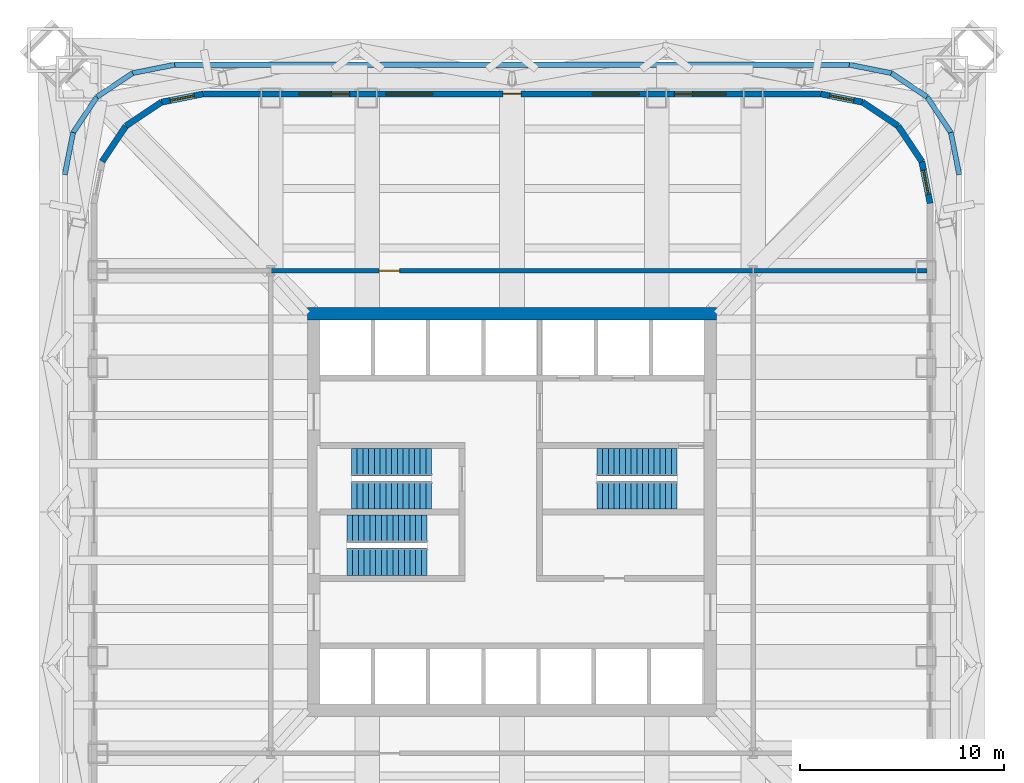
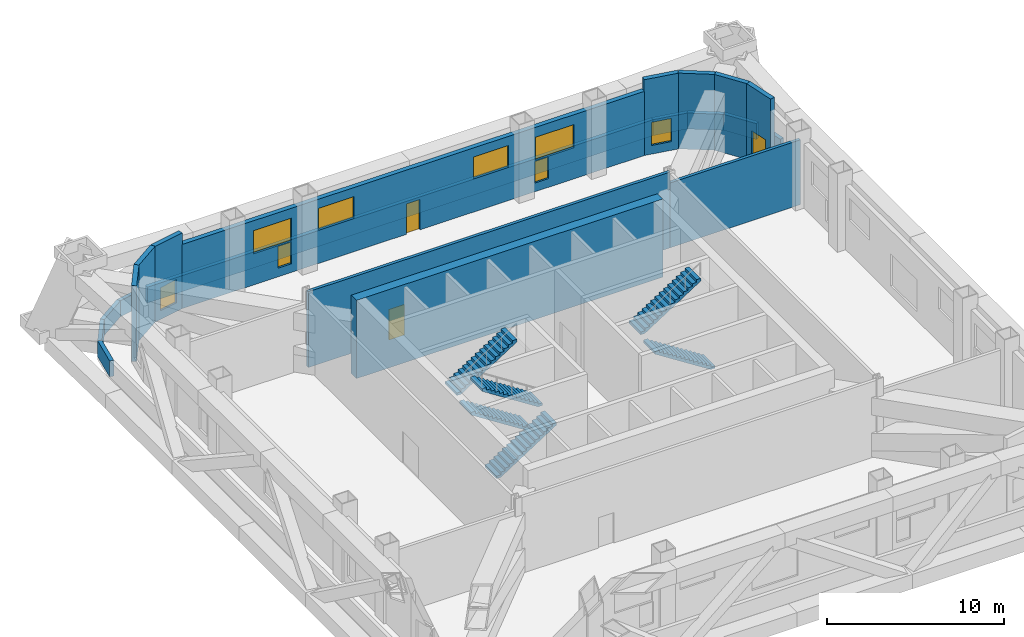
# One storey, part 7 of 9: 20 walls, 9 windows, 6 stair flights, 2 doors, 11 openings, 3 elements without a shape of their own.
"""IFC4 building model written with IfcOpenShell, lengths in metres."""

from ifc_helpers import new_model, si_unit, direction, frame, frame_2d, origin, place, context, subcontext, project, spatial, polyline, rectangle, outline, extrude, material, layer, layer_set, type_object, element, fill, aggregate, save


model = new_model("IFC4")

# Units and contexts
model_context = context("Model", 3, precision=1e-05, world=origin(), true_north=direction((0.0, 1.0)))
body_context = subcontext(model_context, "Body", "Model", "MODEL_VIEW")
ifc_project = project(units=[si_unit("LENGTHUNIT", "METRE"), si_unit("AREAUNIT", "SQUARE_METRE"), si_unit("VOLUMEUNIT", "CUBIC_METRE"), si_unit("PLANEANGLEUNIT", "RADIAN"), si_unit("MASSUNIT", "GRAM", prefix="KILO")], contexts=[model_context])

# Site, building, storey
site_placement = place(None, origin())
site = spatial("IfcSite", under=ifc_project, at=site_placement, CompositionType="ELEMENT")
building_placement = place(site_placement, origin())
building = spatial("IfcBuilding", under=site, at=building_placement, Name="Turquesa Mirador Hotel Tower", CompositionType="ELEMENT")
storey_placement = place(building_placement, frame((0.0, 0.0, 88.0)))
storey = spatial("IfcBuildingStorey", under=building, at=storey_placement, Name="L23", CompositionType="ELEMENT", Elevation=88.0)

# Wall
ifc_material_1 = material(Name="Concrete C50/60", Category="concrete")
ifc_layer_1 = layer(ifc_material_1, 0.60009765625)
ifc_layer_set_1 = layer_set([ifc_layer_1], Name="CORE WALL 600")
wall_type_1 = type_object("IfcWallType", Name="CORE WALL 600", PredefinedType="SHEAR", material=ifc_layer_set_1)
wall_1_placement = place(storey_placement, frame((45.0, 54.699951171875, 0.0), z_axis=(0.0, 0.0, 1.0), x_axis=(1.0, 0.0, 0.0)))
element("IfcWall", 1, at=wall_1_placement, inside=storey, type_object=wall_type_1, Name="Core wall N", PredefinedType="SHEAR", context=body_context, shape_type="SweptSolid", body=[
    extrude(rectangle(XDim=20.0, YDim=0.60009765625, at=frame_2d((10.0, 0.0))), origin(), (0.0, 0.0, 1.0), 5.39990234375),
])

# Wall, opening, door
ifc_material_2 = material(Name="Fire-rated gypsum board on steel studs", Category="steel")
ifc_layer_2 = layer(ifc_material_2, 0.199951171875)
ifc_layer_set_2 = layer_set([ifc_layer_2], Name="CORRIDOR WALL 200")
wall_type_2 = type_object("IfcWallType", Name="CORRIDOR WALL 200", PredefinedType="PARTITIONING", material=ifc_layer_set_2)
wall_2_placement = place(storey_placement, frame((43.199951171875, 56.800048828125, 0.0), z_axis=(0.0, 0.0, 1.0), x_axis=(1.0, 0.0, 0.0)))
wall_2 = element("IfcWall", 2, at=wall_2_placement, inside=storey, type_object=wall_type_2, Name="Partition L23 004", PredefinedType="PARTITIONING", context=body_context, shape_type="SweptSolid", body=[
    extrude(rectangle(XDim=23.60009765625, YDim=0.199951171875, at=frame_2d((11.800048828125, 0.0))), origin(), (0.0, 0.0, 1.0), 5.22998046875),
])
opening_1_placement = place(wall_2_placement, frame((5.300048828125, 0.0, 0.0)))
opening_1 = element("IfcOpeningElement", 3, at=opening_1_placement, cuts=wall_2, Name="Opening D05", PredefinedType="OPENING", context=body_context, shape_type="SweptSolid", body=[
    extrude(rectangle(XDim=1.0, YDim=2.10009765625, at=frame_2d((0.5, 1.050048828125))), frame((0.0, 0.10986328125, 0.0), z_axis=(0.0, -1.0, 0.0), x_axis=(1.0, 0.0, 0.0)), (0.0, 0.0, 1.0), 0.219970703125),
])
ifc_material_3 = material(Name="Steel fire door", Category="steel")
door_type_1 = type_object("IfcDoorType", Name="DOOR 1000X2100 SERVICE", OperationType="SINGLE_SWING_LEFT", PredefinedType="DOOR", material=ifc_material_3)
door_1_placement = place(opening_1_placement, origin())
door_1 = element("IfcDoor", 4, at=door_1_placement, inside=storey, type_object=door_type_1, Name="Door L23-01", OperationType="SINGLE_SWING_LEFT", OverallHeight=2.10009765625, OverallWidth=1.0, PredefinedType="DOOR", context=body_context, shape_type="SweptSolid", body=[
    extrude(rectangle(XDim=1.0, YDim=2.10009765625, at=frame_2d((0.5, 1.050048828125))), frame((0.0, 0.02490234375, 0.0), z_axis=(0.0, -1.0, 0.0), x_axis=(1.0, 0.0, 0.0)), (0.0, 0.0, 1.0), 0.050048828125),
])
fill(opening_1, door_1)

# Wall
ifc_material_4 = material(Name="Fire-rated gypsum board on steel studs", Category="steel")
ifc_layer_3 = layer(ifc_material_4, 0.199951171875)
ifc_layer_set_3 = layer_set([ifc_layer_3], Name="FIRE PARTITION 200")
wall_type_3 = type_object("IfcWallType", Name="FIRE PARTITION 200", PredefinedType="PARTITIONING", material=ifc_layer_set_3)
wall_3_placement = place(storey_placement, frame((66.800048828125, 56.800048828125, 0.0), z_axis=(0.0, 0.0, 1.0), x_axis=(1.0, 0.0, 0.0)))
element("IfcWall", 5, at=wall_3_placement, inside=storey, type_object=wall_type_3, Name="Partition L23 006", PredefinedType="PARTITIONING", context=body_context, shape_type="SweptSolid", body=[
    extrude(rectangle(XDim=8.5, YDim=0.199951171875, at=frame_2d((4.25, 0.0))), origin(), (0.0, 0.0, 1.0), 4.47314453125),
])

# Wall, opening, window
ifc_material_5 = material(Name="Limestone cladding on concrete block", Category="masonry")
ifc_layer_4 = layer(ifc_material_5, 0.300048828125)
ifc_layer_set_4 = layer_set([ifc_layer_4], Name="LOUVRE WALL 300 STONE")
wall_type_4 = type_object("IfcWallType", Name="LOUVRE WALL 300 STONE", PredefinedType="SOLIDWALL", material=ifc_layer_set_4)
wall_4_placement = place(storey_placement, frame((75.449951171875, 60.10009765625, 0.0), z_axis=(0.0, 0.0, 1.0), x_axis=(-0.195081421501, 0.980787050784, 0.0)))
wall_4 = element("IfcWall", 6, at=wall_4_placement, inside=storey, type_object=wall_type_4, Name="Facade wall L23 05", PredefinedType="SOLIDWALL", context=body_context, shape_type="SweptSolid", body=[
    extrude(rectangle(XDim=2.08740234375, YDim=0.300048828125, at=frame_2d((1.043701171875, 0.0))), origin(), (0.0, 0.0, 1.0), 5.22998046875),
])
opening_2_placement = place(wall_4_placement, frame((0.443603515625, 0.0, 0.60009765625)))
opening_2 = element("IfcOpeningElement", 7, at=opening_2_placement, cuts=wall_4, Name="Opening LV7", PredefinedType="OPENING", context=body_context, shape_type="SweptSolid", body=[
    extrude(rectangle(XDim=1.199951171875, YDim=1.60009765625, at=frame_2d((0.60009765625, 0.800048828125))), frame((0.0, 0.159912109375, 0.0), z_axis=(0.0, -1.0, 0.0), x_axis=(1.0, 0.0, 0.0)), (0.0, 0.0, 1.0), 0.320068359375),
])
ifc_material_6 = material(Name="Aluminium extrusion", Category="aluminium")
window_type_1 = type_object("IfcWindowType", Name="PLANT LOUVRE 1200X1600", PartitioningType="SINGLE_PANEL", PredefinedType="USERDEFINED", material=ifc_material_6)
window_1_placement = place(opening_2_placement, origin())
window_1 = element("IfcWindow", 8, at=window_1_placement, inside=storey, type_object=window_type_1, Name="Window L23", ObjectType="LOUVRE", OverallHeight=1.60009765625, OverallWidth=1.199951171875, PartitioningType="SINGLE_PANEL", PredefinedType="USERDEFINED", context=body_context, shape_type="SweptSolid", body=[
    extrude(rectangle(XDim=1.199951171875, YDim=1.60009765625, at=frame_2d((0.60009765625, 0.800048828125))), frame((0.0, 0.030029296875, 0.0), z_axis=(0.0, -1.0, 0.0), x_axis=(1.0, 0.0, 0.0)), (0.0, 0.0, 1.0), 0.06005859375),
])
fill(opening_2, window_1)

# Walls
for number, where, z_axis, x_axis, name in (
    (9, (75.042724609375, 62.1474609375, 0.0), (0.0, 0.0, 1.0), (-0.555563607591, 0.831474039234, 0.0), "Facade wall L23 06"),
    (10, (73.883056640625, 63.883056640625, 0.0), (0.0, 0.0, 1.0), (-0.831474039234, 0.555563607591, 0.0), "Facade wall L23 07"),
):
    element("IfcWall", number, at=place(storey_placement, frame(where, z_axis=z_axis, x_axis=x_axis)), inside=storey, type_object=wall_type_4, Name=name, PredefinedType="SOLIDWALL", context=body_context, shape_type="SweptSolid", body=[
        extrude(rectangle(XDim=2.08740234375, YDim=0.300048828125, at=frame_2d((1.043701171875, 0.0))), origin(), (0.0, 0.0, 1.0), 5.22998046875),
    ])

# Wall, opening, window
wall_5_placement = place(storey_placement, frame((72.1474609375, 65.042724609375, 0.0), z_axis=(0.0, 0.0, 1.0), x_axis=(-0.980787050784, 0.195081421501, 0.0)))
wall_5 = element("IfcWall", 11, at=wall_5_placement, inside=storey, type_object=wall_type_4, Name="Facade wall L23 08", PredefinedType="SOLIDWALL", context=body_context, shape_type="SweptSolid", body=[
    extrude(rectangle(XDim=2.08740234375, YDim=0.300048828125, at=frame_2d((1.043701171875, 0.0))), origin(), (0.0, 0.0, 1.0), 5.22998046875),
])
opening_3_placement = place(wall_5_placement, frame((0.443603515625, 0.0, 0.60009765625)))
opening_3 = element("IfcOpeningElement", 12, at=opening_3_placement, cuts=wall_5, Name="Opening LV7", PredefinedType="OPENING", context=body_context, shape_type="SweptSolid", body=[
    extrude(rectangle(XDim=1.199951171875, YDim=1.60009765625, at=frame_2d((0.60009765625, 0.800048828125))), frame((0.0, 0.159912109375, 0.0), z_axis=(0.0, -1.0, 0.0), x_axis=(1.0, 0.0, 0.0)), (0.0, 0.0, 1.0), 0.320068359375),
])
window_2_placement = place(opening_3_placement, origin())
window_2 = element("IfcWindow", 13, at=window_2_placement, inside=storey, type_object=window_type_1, Name="Window L23", ObjectType="LOUVRE", OverallHeight=1.60009765625, OverallWidth=1.199951171875, PartitioningType="SINGLE_PANEL", PredefinedType="USERDEFINED", context=body_context, shape_type="SweptSolid", body=[
    extrude(rectangle(XDim=1.199951171875, YDim=1.60009765625, at=frame_2d((0.60009765625, 0.800048828125))), frame((0.0, 0.030029296875, 0.0), z_axis=(0.0, -1.0, 0.0), x_axis=(1.0, 0.0, 0.0)), (0.0, 0.0, 1.0), 0.06005859375),
])
fill(opening_3, window_2)

# Wall, openings, windows, door
wall_6_placement = place(storey_placement, frame((70.10009765625, 65.449951171875, 0.0), z_axis=(0.0, 0.0, 1.0), x_axis=(-1.0, 0.0, 0.0)))
wall_6 = element("IfcWall", 14, at=wall_6_placement, inside=storey, type_object=wall_type_4, Name="Facade wall L23 09", PredefinedType="SOLIDWALL", context=body_context, shape_type="SweptSolid", body=[
    extrude(rectangle(XDim=30.2001953125, YDim=0.300048828125, at=frame_2d((15.10009765625, 0.0))), origin(), (0.0, 0.0, 1.0), 4.429931640625),
])
opening_4_placement = place(wall_6_placement, frame((4.610107421875, 0.0, 2.14990234375)))
opening_4 = element("IfcOpeningElement", 15, at=opening_4_placement, cuts=wall_6, Name="Opening LV15", PredefinedType="OPENING", context=body_context, shape_type="SweptSolid", body=[
    extrude(rectangle(XDim=2.5, YDim=1.60009765625, at=frame_2d((1.25, 0.800048828125))), frame((0.0, 0.159912109375, 0.0), z_axis=(0.0, -1.0, 0.0), x_axis=(1.0, 0.0, 0.0)), (0.0, 0.0, 1.0), 0.320068359375),
])
opening_5_placement = place(wall_6_placement, frame((8.8798828125, 0.0, 2.300048828125)))
opening_5 = element("IfcOpeningElement", 16, at=opening_5_placement, cuts=wall_6, Name="Opening LV12", PredefinedType="OPENING", context=body_context, shape_type="SweptSolid", body=[
    extrude(rectangle(XDim=2.300048828125, YDim=1.5, at=frame_2d((1.14990234375, 0.75))), frame((0.0, 0.159912109375, 0.0), z_axis=(0.0, -1.0, 0.0), x_axis=(1.0, 0.0, 0.0)), (0.0, 0.0, 1.0), 0.320068359375),
])
opening_6_placement = place(wall_6_placement, frame((14.64990234375, 0.0, 0.0)))
opening_6 = element("IfcOpeningElement", 17, at=opening_6_placement, cuts=wall_6, Name="Opening D21", PredefinedType="OPENING", context=body_context, shape_type="SweptSolid", body=[
    extrude(rectangle(XDim=0.89990234375, YDim=2.10009765625, at=frame_2d((0.449951171875, 1.050048828125))), frame((0.0, 0.159912109375, 0.0), z_axis=(0.0, -1.0, 0.0), x_axis=(1.0, 0.0, 0.0)), (0.0, 0.0, 1.0), 0.320068359375),
])
opening_7_placement = place(wall_6_placement, frame((18.969970703125, 0.0, 2.300048828125)))
opening_7 = element("IfcOpeningElement", 18, at=opening_7_placement, cuts=wall_6, Name="Opening LV12", PredefinedType="OPENING", context=body_context, shape_type="SweptSolid", body=[
    extrude(rectangle(XDim=2.300048828125, YDim=1.5, at=frame_2d((1.14990234375, 0.75))), frame((0.0, 0.159912109375, 0.0), z_axis=(0.0, -1.0, 0.0), x_axis=(1.0, 0.0, 0.0)), (0.0, 0.0, 1.0), 0.320068359375),
])
opening_8_placement = place(wall_6_placement, frame((23.0400390625, 0.0, 2.14990234375)))
opening_8 = element("IfcOpeningElement", 19, at=opening_8_placement, cuts=wall_6, Name="Opening LV15", PredefinedType="OPENING", context=body_context, shape_type="SweptSolid", body=[
    extrude(rectangle(XDim=2.5, YDim=1.60009765625, at=frame_2d((1.25, 0.800048828125))), frame((0.0, 0.159912109375, 0.0), z_axis=(0.0, -1.0, 0.0), x_axis=(1.0, 0.0, 0.0)), (0.0, 0.0, 1.0), 0.320068359375),
])
opening_9_placement = place(wall_6_placement, frame((6.260009765625, 0.0, 0.60009765625)))
opening_9 = element("IfcOpeningElement", 20, at=opening_9_placement, cuts=wall_6, Name="Opening LV3", PredefinedType="OPENING", context=body_context, shape_type="SweptSolid", body=[
    extrude(rectangle(XDim=0.89990234375, YDim=1.5, at=frame_2d((0.449951171875, 0.75))), frame((0.0, 0.159912109375, 0.0), z_axis=(0.0, -1.0, 0.0), x_axis=(1.0, 0.0, 0.0)), (0.0, 0.0, 1.0), 0.320068359375),
])
opening_10_placement = place(wall_6_placement, frame((23.0400390625, 0.0, 0.60009765625)))
opening_10 = element("IfcOpeningElement", 21, at=opening_10_placement, cuts=wall_6, Name="Opening LV3", PredefinedType="OPENING", context=body_context, shape_type="SweptSolid", body=[
    extrude(rectangle(XDim=0.89990234375, YDim=1.5, at=frame_2d((0.449951171875, 0.75))), frame((0.0, 0.159912109375, 0.0), z_axis=(0.0, -1.0, 0.0), x_axis=(1.0, 0.0, 0.0)), (0.0, 0.0, 1.0), 0.320068359375),
])
ifc_material_7 = material(Name="Aluminium extrusion", Category="aluminium")
window_type_2 = type_object("IfcWindowType", Name="PLANT LOUVRE 2300X1500", PartitioningType="SINGLE_PANEL", PredefinedType="USERDEFINED", material=ifc_material_7)
window_3_placement = place(opening_5_placement, origin())
window_3 = element("IfcWindow", 22, at=window_3_placement, inside=storey, type_object=window_type_2, Name="Window L23", ObjectType="LOUVRE", OverallHeight=1.5, OverallWidth=2.300048828125, PartitioningType="SINGLE_PANEL", PredefinedType="USERDEFINED", context=body_context, shape_type="SweptSolid", body=[
    extrude(rectangle(XDim=2.300048828125, YDim=1.5, at=frame_2d((1.14990234375, 0.75))), frame((0.0, 0.030029296875, 0.0), z_axis=(0.0, -1.0, 0.0), x_axis=(1.0, 0.0, 0.0)), (0.0, 0.0, 1.0), 0.06005859375),
])
fill(opening_5, window_3)
window_4_placement = place(opening_7_placement, origin())
window_4 = element("IfcWindow", 23, at=window_4_placement, inside=storey, type_object=window_type_2, Name="Window L23", ObjectType="LOUVRE", OverallHeight=1.5, OverallWidth=2.300048828125, PartitioningType="SINGLE_PANEL", PredefinedType="USERDEFINED", context=body_context, shape_type="SweptSolid", body=[
    extrude(rectangle(XDim=2.300048828125, YDim=1.5, at=frame_2d((1.14990234375, 0.75))), frame((0.0, 0.030029296875, 0.0), z_axis=(0.0, -1.0, 0.0), x_axis=(1.0, 0.0, 0.0)), (0.0, 0.0, 1.0), 0.06005859375),
])
fill(opening_7, window_4)
ifc_material_8 = material(Name="Aluminium extrusion", Category="aluminium")
window_type_3 = type_object("IfcWindowType", Name="PLANT LOUVRE 2500X1600", PartitioningType="SINGLE_PANEL", PredefinedType="USERDEFINED", material=ifc_material_8)
window_5_placement = place(opening_4_placement, origin())
window_5 = element("IfcWindow", 24, at=window_5_placement, inside=storey, type_object=window_type_3, Name="Window L23", ObjectType="LOUVRE", OverallHeight=1.60009765625, OverallWidth=2.5, PartitioningType="SINGLE_PANEL", PredefinedType="USERDEFINED", context=body_context, shape_type="SweptSolid", body=[
    extrude(rectangle(XDim=2.5, YDim=1.60009765625, at=frame_2d((1.25, 0.800048828125))), frame((0.0, 0.030029296875, 0.0), z_axis=(0.0, -1.0, 0.0), x_axis=(1.0, 0.0, 0.0)), (0.0, 0.0, 1.0), 0.06005859375),
])
fill(opening_4, window_5)
window_6_placement = place(opening_8_placement, origin())
window_6 = element("IfcWindow", 25, at=window_6_placement, inside=storey, type_object=window_type_3, Name="Window L23", ObjectType="LOUVRE", OverallHeight=1.60009765625, OverallWidth=2.5, PartitioningType="SINGLE_PANEL", PredefinedType="USERDEFINED", context=body_context, shape_type="SweptSolid", body=[
    extrude(rectangle(XDim=2.5, YDim=1.60009765625, at=frame_2d((1.25, 0.800048828125))), frame((0.0, 0.030029296875, 0.0), z_axis=(0.0, -1.0, 0.0), x_axis=(1.0, 0.0, 0.0)), (0.0, 0.0, 1.0), 0.06005859375),
])
fill(opening_8, window_6)
ifc_material_9 = material(Name="Aluminium extrusion", Category="aluminium")
window_type_4 = type_object("IfcWindowType", Name="PLANT LOUVRE 900X1500", PartitioningType="SINGLE_PANEL", PredefinedType="USERDEFINED", material=ifc_material_9)
window_7_placement = place(opening_9_placement, origin())
window_7 = element("IfcWindow", 26, at=window_7_placement, inside=storey, type_object=window_type_4, Name="Window L23", ObjectType="LOUVRE", OverallHeight=1.5, OverallWidth=0.89990234375, PartitioningType="SINGLE_PANEL", PredefinedType="USERDEFINED", context=body_context, shape_type="SweptSolid", body=[
    extrude(rectangle(XDim=0.89990234375, YDim=1.5, at=frame_2d((0.449951171875, 0.75))), frame((0.0, 0.030029296875, 0.0), z_axis=(0.0, -1.0, 0.0), x_axis=(1.0, 0.0, 0.0)), (0.0, 0.0, 1.0), 0.06005859375),
])
fill(opening_9, window_7)
window_8_placement = place(opening_10_placement, origin())
window_8 = element("IfcWindow", 27, at=window_8_placement, inside=storey, type_object=window_type_4, Name="Window L23", ObjectType="LOUVRE", OverallHeight=1.5, OverallWidth=0.89990234375, PartitioningType="SINGLE_PANEL", PredefinedType="USERDEFINED", context=body_context, shape_type="SweptSolid", body=[
    extrude(rectangle(XDim=0.89990234375, YDim=1.5, at=frame_2d((0.449951171875, 0.75))), frame((0.0, 0.030029296875, 0.0), z_axis=(0.0, -1.0, 0.0), x_axis=(1.0, 0.0, 0.0)), (0.0, 0.0, 1.0), 0.06005859375),
])
fill(opening_10, window_8)
ifc_material_10 = material(Name="Galvanised steel door, weather-stripped", Category="steel")
door_type_2 = type_object("IfcDoorType", Name="ROOF ACCESS DOOR 900X2100 MAINTENANCE ONLY", OperationType="SINGLE_SWING_LEFT", PredefinedType="DOOR", material=ifc_material_10)
door_2_placement = place(opening_6_placement, origin())
door_2 = element("IfcDoor", 28, at=door_2_placement, inside=storey, type_object=door_type_2, Name="Roof access door (maintenance only) L23", OperationType="SINGLE_SWING_LEFT", OverallHeight=2.10009765625, OverallWidth=0.89990234375, PredefinedType="DOOR", context=body_context, shape_type="SweptSolid", body=[
    extrude(rectangle(XDim=0.89990234375, YDim=2.10009765625, at=frame_2d((0.449951171875, 1.050048828125))), frame((0.0, 0.02490234375, 0.0), z_axis=(0.0, -1.0, 0.0), x_axis=(1.0, 0.0, 0.0)), (0.0, 0.0, 1.0), 0.050048828125),
])
fill(opening_6, door_2)

# Wall, opening, window
wall_7_placement = place(storey_placement, frame((39.89990234375, 65.449951171875, 0.0), z_axis=(0.0, 0.0, 1.0), x_axis=(-0.980787050784, -0.195081421501, 0.0)))
wall_7 = element("IfcWall", 29, at=wall_7_placement, inside=storey, type_object=wall_type_4, Name="Facade wall L23 10", PredefinedType="SOLIDWALL", context=body_context, shape_type="SweptSolid", body=[
    extrude(rectangle(XDim=2.08740234375, YDim=0.300048828125, at=frame_2d((1.043701171875, 0.0))), origin(), (0.0, 0.0, 1.0), 5.22998046875),
])
opening_11_placement = place(wall_7_placement, frame((0.443603515625, 0.0, 0.60009765625)))
opening_11 = element("IfcOpeningElement", 30, at=opening_11_placement, cuts=wall_7, Name="Opening LV7", PredefinedType="OPENING", context=body_context, shape_type="SweptSolid", body=[
    extrude(rectangle(XDim=1.199951171875, YDim=1.60009765625, at=frame_2d((0.60009765625, 0.800048828125))), frame((0.0, 0.159912109375, 0.0), z_axis=(0.0, -1.0, 0.0), x_axis=(1.0, 0.0, 0.0)), (0.0, 0.0, 1.0), 0.320068359375),
])
window_9_placement = place(opening_11_placement, origin())
window_9 = element("IfcWindow", 31, at=window_9_placement, inside=storey, type_object=window_type_1, Name="Window L23", ObjectType="LOUVRE", OverallHeight=1.60009765625, OverallWidth=1.199951171875, PartitioningType="SINGLE_PANEL", PredefinedType="USERDEFINED", context=body_context, shape_type="SweptSolid", body=[
    extrude(rectangle(XDim=1.199951171875, YDim=1.60009765625, at=frame_2d((0.60009765625, 0.800048828125))), frame((0.0, 0.030029296875, 0.0), z_axis=(0.0, -1.0, 0.0), x_axis=(1.0, 0.0, 0.0)), (0.0, 0.0, 1.0), 0.06005859375),
])
fill(opening_11, window_9)

# Walls
for number, where, z_axis, x_axis, name in (
    (32, (37.8525390625, 65.042724609375, 0.0), (0.0, 0.0, 1.0), (-0.831474039234, -0.555563607591, 0.0), "Facade wall L23 11"),
    (33, (36.116943359375, 63.883056640625, 0.0), (0.0, 0.0, 1.0), (-0.555563607591, -0.831474039234, 0.0), "Facade wall L23 12"),
):
    element("IfcWall", number, at=place(storey_placement, frame(where, z_axis=z_axis, x_axis=x_axis)), inside=storey, type_object=wall_type_4, Name=name, PredefinedType="SOLIDWALL", context=body_context, shape_type="SweptSolid", body=[
        extrude(rectangle(XDim=2.08740234375, YDim=0.300048828125, at=frame_2d((1.043701171875, 0.0))), origin(), (0.0, 0.0, 1.0), 5.22998046875),
    ])
ifc_material_11 = material(Name="Limestone cladding on concrete block", Category="masonry")
ifc_layer_5 = layer(ifc_material_11, 0.25)
ifc_layer_set_5 = layer_set([ifc_layer_5], Name="PARAPET 250 STONE")
wall_type_5 = type_object("IfcWallType", Name="PARAPET 250 STONE", PredefinedType="PARAPET", material=ifc_layer_set_5)
for number, where, z_axis, x_axis, name in (
    (34, (76.875, 61.5, 0.0), (0.0, 0.0, 1.0), (-0.195108609271, 0.980781642665, 0.0), "Maintenance roof parapet L23"),
    (35, (76.4658203125, 63.556884765625, 0.0), (0.0, 0.0, 1.0), (-0.555505847535, 0.831512629702, 0.0), "Maintenance roof parapet L23"),
    (36, (75.30078125, 65.30078125, 0.0), (0.0, 0.0, 1.0), (-0.831512629702, 0.555505847535, 0.0), "Maintenance roof parapet L23"),
    (37, (73.556884765625, 66.4658203125, 0.0), (0.0, 0.0, 1.0), (-0.980781642665, 0.195108609271, 0.0), "Maintenance roof parapet L23"),
):
    element("IfcWall", number, at=place(storey_placement, frame(where, z_axis=z_axis, x_axis=x_axis)), inside=storey, type_object=wall_type_5, Name=name, PredefinedType="PARAPET", context=body_context, shape_type="SweptSolid", body=[
        extrude(rectangle(XDim=2.09716796875, YDim=0.25, at=frame_2d((1.048583984375, 0.0))), origin(), (0.0, 0.0, 1.0), 1.10009765625),
    ])
wall_8_placement = place(storey_placement, frame((71.5, 66.875, 0.0), z_axis=(0.0, 0.0, 1.0), x_axis=(-1.0, 0.0, 0.0)))
element("IfcWall", 38, at=wall_8_placement, inside=storey, type_object=wall_type_5, Name="Maintenance roof parapet L23", PredefinedType="PARAPET", context=body_context, shape_type="SweptSolid", body=[
    extrude(rectangle(XDim=33.0, YDim=0.25, at=frame_2d((16.5, 0.0))), origin(), (0.0, 0.0, 1.0), 1.10009765625),
])
for number, where, z_axis, x_axis, name in (
    (39, (38.5, 66.875, 0.0), (0.0, 0.0, 1.0), (-0.980781642665, -0.195108609271, 0.0), "Maintenance roof parapet L23"),
    (40, (36.443115234375, 66.4658203125, 0.0), (0.0, 0.0, 1.0), (-0.831512629702, -0.555505847535, 0.0), "Maintenance roof parapet L23"),
    (41, (34.69921875, 65.30078125, 0.0), (0.0, 0.0, 1.0), (-0.555505847535, -0.831512629702, 0.0), "Maintenance roof parapet L23"),
    (42, (33.5341796875, 63.556884765625, 0.0), (0.0, 0.0, 1.0), (-0.195108609271, -0.980781642665, 0.0), "Maintenance roof parapet L23"),
):
    element("IfcWall", number, at=place(storey_placement, frame(where, z_axis=z_axis, x_axis=x_axis)), inside=storey, type_object=wall_type_5, Name=name, PredefinedType="PARAPET", context=body_context, shape_type="SweptSolid", body=[
        extrude(rectangle(XDim=2.09716796875, YDim=0.25, at=frame_2d((1.048583984375, 0.0))), origin(), (0.0, 0.0, 1.0), 1.10009765625),
    ])

# Stair, stair flights
ifc_material_12 = material(Name="Concrete C35/45", Category="concrete")
stair_type = type_object("IfcStairType", Name="ESCAPE STAIR CORE", PredefinedType="HALF_TURN_STAIR", material=ifc_material_12)
stair_1_placement = place(storey_placement, origin())
stair_1 = element("IfcStair", 43, at=stair_1_placement, inside=storey, type_object=stair_type, Name="Stair ST1 L23 to L24", PredefinedType="HALF_TURN_STAIR")
ifc_material_13 = material(Name="Concrete C35/45 precast flight", Category="concrete")
stair_flight_type = type_object("IfcStairFlightType", Name="STAIR FLIGHT 1330", PredefinedType="STRAIGHT", material=ifc_material_13)
stair_flight_1_placement = place(storey_placement, frame((51.070068359375, 45.81494140625, 0.0), z_axis=(0.0, 0.0, 1.0), x_axis=(-1.0, 0.0, 0.0)))
stair_flight_1 = element("IfcStairFlight", 44, at=stair_flight_1_placement, type_object=stair_flight_type, Name="ST1 flight 1", NumberOfRisers=15, NumberOfTreads=14, PredefinedType="STRAIGHT", RiserHeight=0.18, TreadLength=0.28, context=body_context, shape_type="SweptSolid", body=[
    extrude(outline(polyline([(0.0, 0.0), (0.0, 0.179931640625), (0.280029296875, 0.179931640625), (0.280029296875, 0.360107421875), (0.56005859375, 0.360107421875), (0.56005859375, 0.5400390625), (0.840087890625, 0.5400390625), (0.840087890625, 0.719970703125), (1.1201171875, 0.719970703125), (1.1201171875, 0.89990234375), (1.39990234375, 0.89990234375), (1.39990234375, 1.080078125), (1.679931640625, 1.080078125), (1.679931640625, 1.260009765625), (1.9599609375, 1.260009765625), (1.9599609375, 1.43994140625), (2.239990234375, 1.43994140625), (2.239990234375, 1.6201171875), (2.52001953125, 1.6201171875), (2.52001953125, 1.800048828125), (2.800048828125, 1.800048828125), (2.800048828125, 1.97998046875), (3.080078125, 1.97998046875), (3.080078125, 2.159912109375), (3.360107421875, 2.159912109375), (3.360107421875, 2.340087890625), (3.639892578125, 2.340087890625), (3.639892578125, 2.52001953125), (3.919921875, 2.52001953125), (3.919921875, 2.699951171875), (3.919921875, 2.341796875), (0.277099609375, 0.0), (0.0, 0.0)])), frame((0.0, 0.6650390625, 0.0), z_axis=(0.0, -1.0, 0.0), x_axis=(1.0, 0.0, 0.0)), (0.0, 0.0, 1.0), 1.330078125),
])
stair_flight_2_placement = place(storey_placement, frame((47.14990234375, 47.43505859375, 2.699951171875), z_axis=(0.0, 0.0, 1.0), x_axis=(1.0, 0.0, 0.0)))
stair_flight_2 = element("IfcStairFlight", 45, at=stair_flight_2_placement, type_object=stair_flight_type, Name="ST1 flight 2", NumberOfRisers=15, NumberOfTreads=14, PredefinedType="STRAIGHT", RiserHeight=0.18, TreadLength=0.28, context=body_context, shape_type="SweptSolid", body=[
    extrude(outline(polyline([(0.0, 0.0), (0.0, 0.179931640625), (0.280029296875, 0.179931640625), (0.280029296875, 0.360107421875), (0.56005859375, 0.360107421875), (0.56005859375, 0.5400390625), (0.840087890625, 0.5400390625), (0.840087890625, 0.719970703125), (1.1201171875, 0.719970703125), (1.1201171875, 0.89990234375), (1.39990234375, 0.89990234375), (1.39990234375, 1.080078125), (1.679931640625, 1.080078125), (1.679931640625, 1.260009765625), (1.9599609375, 1.260009765625), (1.9599609375, 1.43994140625), (2.239990234375, 1.43994140625), (2.239990234375, 1.6201171875), (2.52001953125, 1.6201171875), (2.52001953125, 1.800048828125), (2.800048828125, 1.800048828125), (2.800048828125, 1.97998046875), (3.080078125, 1.97998046875), (3.080078125, 2.159912109375), (3.360107421875, 2.159912109375), (3.360107421875, 2.340087890625), (3.639892578125, 2.340087890625), (3.639892578125, 2.52001953125), (3.919921875, 2.52001953125), (3.919921875, 2.699951171875), (3.919921875, 2.341796875), (0.277099609375, 0.0), (0.0, 0.0)])), frame((0.0, 0.6650390625, 0.0), z_axis=(0.0, -1.0, 0.0), x_axis=(1.0, 0.0, 0.0)), (0.0, 0.0, 1.0), 1.330078125),
])
aggregate(stair_1, [stair_flight_1, stair_flight_2])

stair_2_placement = place(storey_placement, origin())
stair_2 = element("IfcStair", 46, at=stair_2_placement, inside=storey, type_object=stair_type, Name="Stair ST2 L23 to L24", PredefinedType="HALF_TURN_STAIR")
stair_flight_3_placement = place(storey_placement, frame((46.929931640625, 42.56494140625, 0.0), z_axis=(0.0, 0.0, 1.0), x_axis=(1.0, 0.0, 0.0)))
stair_flight_3 = element("IfcStairFlight", 47, at=stair_flight_3_placement, type_object=stair_flight_type, Name="ST2 flight 1", NumberOfRisers=15, NumberOfTreads=14, PredefinedType="STRAIGHT", RiserHeight=0.18, TreadLength=0.28, context=body_context, shape_type="SweptSolid", body=[
    extrude(outline(polyline([(0.0, 0.0), (0.0, 0.179931640625), (0.280029296875, 0.179931640625), (0.280029296875, 0.360107421875), (0.56005859375, 0.360107421875), (0.56005859375, 0.5400390625), (0.840087890625, 0.5400390625), (0.840087890625, 0.719970703125), (1.1201171875, 0.719970703125), (1.1201171875, 0.89990234375), (1.39990234375, 0.89990234375), (1.39990234375, 1.080078125), (1.679931640625, 1.080078125), (1.679931640625, 1.260009765625), (1.9599609375, 1.260009765625), (1.9599609375, 1.43994140625), (2.239990234375, 1.43994140625), (2.239990234375, 1.6201171875), (2.52001953125, 1.6201171875), (2.52001953125, 1.800048828125), (2.800048828125, 1.800048828125), (2.800048828125, 1.97998046875), (3.080078125, 1.97998046875), (3.080078125, 2.159912109375), (3.360107421875, 2.159912109375), (3.360107421875, 2.340087890625), (3.639892578125, 2.340087890625), (3.639892578125, 2.52001953125), (3.919921875, 2.52001953125), (3.919921875, 2.699951171875), (3.919921875, 2.341796875), (0.277099609375, 0.0), (0.0, 0.0)])), frame((0.0, 0.6650390625, 0.0), z_axis=(0.0, -1.0, 0.0), x_axis=(1.0, 0.0, 0.0)), (0.0, 0.0, 1.0), 1.330078125),
])
stair_flight_4_placement = place(storey_placement, frame((50.85009765625, 44.18505859375, 2.699951171875), z_axis=(0.0, 0.0, 1.0), x_axis=(-1.0, 0.0, 0.0)))
stair_flight_4 = element("IfcStairFlight", 48, at=stair_flight_4_placement, type_object=stair_flight_type, Name="ST2 flight 2", NumberOfRisers=15, NumberOfTreads=14, PredefinedType="STRAIGHT", RiserHeight=0.18, TreadLength=0.28, context=body_context, shape_type="SweptSolid", body=[
    extrude(outline(polyline([(0.0, 0.0), (0.0, 0.179931640625), (0.280029296875, 0.179931640625), (0.280029296875, 0.360107421875), (0.56005859375, 0.360107421875), (0.56005859375, 0.5400390625), (0.840087890625, 0.5400390625), (0.840087890625, 0.719970703125), (1.1201171875, 0.719970703125), (1.1201171875, 0.89990234375), (1.39990234375, 0.89990234375), (1.39990234375, 1.080078125), (1.679931640625, 1.080078125), (1.679931640625, 1.260009765625), (1.9599609375, 1.260009765625), (1.9599609375, 1.43994140625), (2.239990234375, 1.43994140625), (2.239990234375, 1.6201171875), (2.52001953125, 1.6201171875), (2.52001953125, 1.800048828125), (2.800048828125, 1.800048828125), (2.800048828125, 1.97998046875), (3.080078125, 1.97998046875), (3.080078125, 2.159912109375), (3.360107421875, 2.159912109375), (3.360107421875, 2.340087890625), (3.639892578125, 2.340087890625), (3.639892578125, 2.52001953125), (3.919921875, 2.52001953125), (3.919921875, 2.699951171875), (3.919921875, 2.341796875), (0.277099609375, 0.0), (0.0, 0.0)])), frame((0.0, 0.6650390625, 0.0), z_axis=(0.0, -1.0, 0.0), x_axis=(1.0, 0.0, 0.0)), (0.0, 0.0, 1.0), 1.330078125),
])
aggregate(stair_2, [stair_flight_3, stair_flight_4])

stair_3_placement = place(storey_placement, origin())
stair_3 = element("IfcStair", 49, at=stair_3_placement, inside=storey, type_object=stair_type, Name="Stair ST3 L23 to L24", PredefinedType="HALF_TURN_STAIR")
stair_flight_5_placement = place(storey_placement, frame((63.070068359375, 45.81494140625, 0.0), z_axis=(0.0, 0.0, 1.0), x_axis=(-1.0, 0.0, 0.0)))
stair_flight_5 = element("IfcStairFlight", 50, at=stair_flight_5_placement, type_object=stair_flight_type, Name="ST3 flight 1", NumberOfRisers=15, NumberOfTreads=14, PredefinedType="STRAIGHT", RiserHeight=0.18, TreadLength=0.28, context=body_context, shape_type="SweptSolid", body=[
    extrude(outline(polyline([(0.0, 0.0), (0.0, 0.179931640625), (0.280029296875, 0.179931640625), (0.280029296875, 0.360107421875), (0.56005859375, 0.360107421875), (0.56005859375, 0.5400390625), (0.840087890625, 0.5400390625), (0.840087890625, 0.719970703125), (1.1201171875, 0.719970703125), (1.1201171875, 0.89990234375), (1.39990234375, 0.89990234375), (1.39990234375, 1.080078125), (1.679931640625, 1.080078125), (1.679931640625, 1.260009765625), (1.9599609375, 1.260009765625), (1.9599609375, 1.43994140625), (2.239990234375, 1.43994140625), (2.239990234375, 1.6201171875), (2.52001953125, 1.6201171875), (2.52001953125, 1.800048828125), (2.800048828125, 1.800048828125), (2.800048828125, 1.97998046875), (3.080078125, 1.97998046875), (3.080078125, 2.159912109375), (3.360107421875, 2.159912109375), (3.360107421875, 2.340087890625), (3.639892578125, 2.340087890625), (3.639892578125, 2.52001953125), (3.919921875, 2.52001953125), (3.919921875, 2.699951171875), (3.919921875, 2.341796875), (0.277099609375, 0.0), (0.0, 0.0)])), frame((0.0, 0.6650390625, 0.0), z_axis=(0.0, -1.0, 0.0), x_axis=(1.0, 0.0, 0.0)), (0.0, 0.0, 1.0), 1.330078125),
])
stair_flight_6_placement = place(storey_placement, frame((59.14990234375, 47.43505859375, 2.699951171875), z_axis=(0.0, 0.0, 1.0), x_axis=(1.0, 0.0, 0.0)))
stair_flight_6 = element("IfcStairFlight", 51, at=stair_flight_6_placement, type_object=stair_flight_type, Name="ST3 flight 2", NumberOfRisers=15, NumberOfTreads=14, PredefinedType="STRAIGHT", RiserHeight=0.18, TreadLength=0.28, context=body_context, shape_type="SweptSolid", body=[
    extrude(outline(polyline([(0.0, 0.0), (0.0, 0.179931640625), (0.280029296875, 0.179931640625), (0.280029296875, 0.360107421875), (0.56005859375, 0.360107421875), (0.56005859375, 0.5400390625), (0.840087890625, 0.5400390625), (0.840087890625, 0.719970703125), (1.1201171875, 0.719970703125), (1.1201171875, 0.89990234375), (1.39990234375, 0.89990234375), (1.39990234375, 1.080078125), (1.679931640625, 1.080078125), (1.679931640625, 1.260009765625), (1.9599609375, 1.260009765625), (1.9599609375, 1.43994140625), (2.239990234375, 1.43994140625), (2.239990234375, 1.6201171875), (2.52001953125, 1.6201171875), (2.52001953125, 1.800048828125), (2.800048828125, 1.800048828125), (2.800048828125, 1.97998046875), (3.080078125, 1.97998046875), (3.080078125, 2.159912109375), (3.360107421875, 2.159912109375), (3.360107421875, 2.340087890625), (3.639892578125, 2.340087890625), (3.639892578125, 2.52001953125), (3.919921875, 2.52001953125), (3.919921875, 2.699951171875), (3.919921875, 2.341796875), (0.277099609375, 0.0), (0.0, 0.0)])), frame((0.0, 0.6650390625, 0.0), z_axis=(0.0, -1.0, 0.0), x_axis=(1.0, 0.0, 0.0)), (0.0, 0.0, 1.0), 1.330078125),
])
aggregate(stair_3, [stair_flight_5, stair_flight_6])

save(model, "model.ifc")
